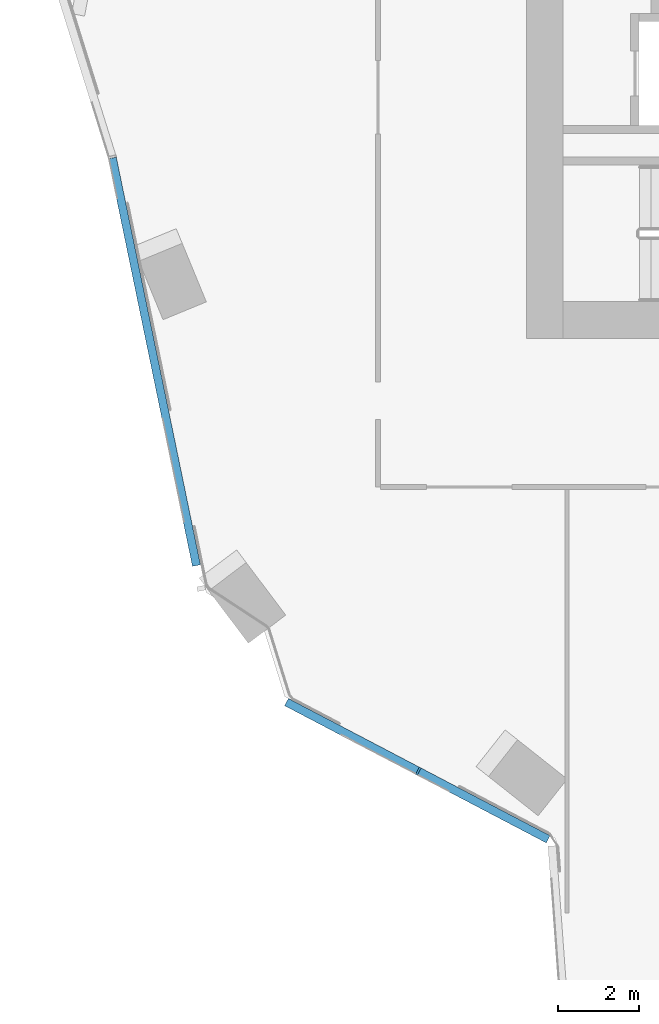
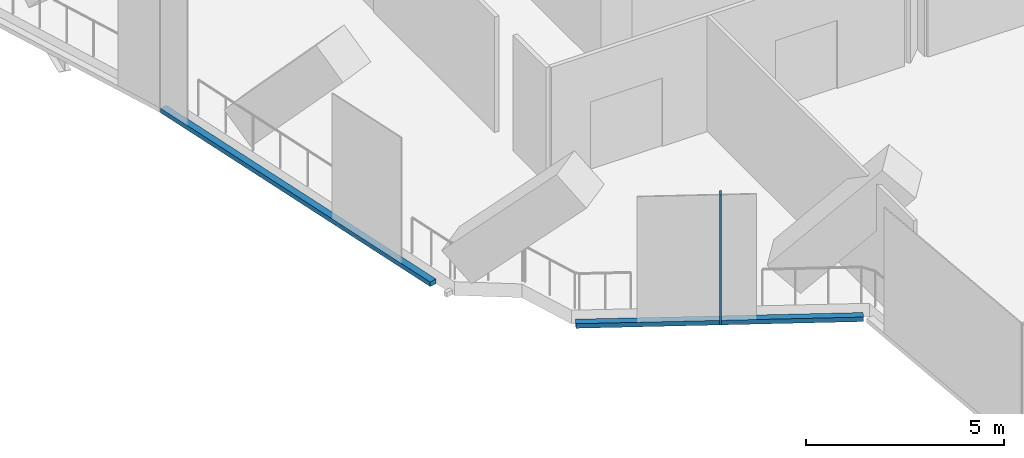
# One storey, part 3 of 26: 3 members, 2 elements without a shape of their own.
"""IFC4 building model written with IfcOpenShell, lengths in metres."""

from ifc_helpers import new_model, si_unit, direction, frame, origin, origin_2d, place, context, subcontext, project, spatial, rectangle, extrude, material, material_profile, profile_set, type_object, element, aggregate, save


model = new_model("IFC4")

# Units and contexts
model_context = context("Model", 3, precision=1e-05, world=origin(), true_north=direction((0.0, 1.0)))
body_context = subcontext(model_context, "Body", "Model", "MODEL_VIEW")
ifc_project = project(units=[si_unit("LENGTHUNIT", "METRE"), si_unit("AREAUNIT", "SQUARE_METRE"), si_unit("VOLUMEUNIT", "CUBIC_METRE"), si_unit("PLANEANGLEUNIT", "RADIAN"), si_unit("MASSUNIT", "GRAM", prefix="KILO")], contexts=[model_context])

# Site, building, storey
site_placement = place(None, origin())
site = spatial("IfcSite", under=ifc_project, at=site_placement, CompositionType="ELEMENT")
building_placement = place(site_placement, origin())
building = spatial("IfcBuilding", under=site, at=building_placement, Name="Orlundy Tower", CompositionType="ELEMENT")
storey_placement = place(building_placement, frame((0.0, 0.0, 249.5)))
storey = spatial("IfcBuildingStorey", under=building, at=storey_placement, Name="L66", CompositionType="ELEMENT", Elevation=249.5)

# Curtain wall, member
ifc_material_1 = material(Name="Aluminium bronze anodised", Category="aluminium")
curtain_wall_type = type_object("IfcCurtainWallType", Name="CW5 wall", PredefinedType="NOTDEFINED", material=ifc_material_1)
curtain_wall_1_placement = place(storey_placement, origin())
curtain_wall_1 = element("IfcCurtainWall", 1, at=curtain_wall_1_placement, inside=storey, type_object=curtain_wall_type, Name="CW5 run 045", PredefinedType="NOTDEFINED")
ifc_material_2 = material(Name="Aluminium bronze anodised", Category="aluminium")
ifc_material_profile_1 = material_profile(ifc_material_2, rectangle(XDim=0.199951171875, YDim=0.050048828125, at=origin_2d()), Name="CW5 mullion 50x200")
ifc_profile_set_1 = profile_set([ifc_material_profile_1], Name="Aluminium bronze anodised")
member_type_1 = type_object("IfcMemberType", Name="CW5 mullion 50x200", PredefinedType="MULLION", material=ifc_profile_set_1)
member_1_placement = place(storey_placement, frame((-21.656005859375, -22.632080078125, -0.419921875), z_axis=(0.0, 0.0, 1.0), x_axis=(-0.464335365493, -0.88565945394, 0.0)))
member_1 = element("IfcMember", 2, at=member_1_placement, type_object=member_type_1, Name="CW5 mullion 62", PredefinedType="MULLION", context=body_context, shape_type="SweptSolid", body=[
    extrude(rectangle(XDim=0.199951171875, YDim=0.050048828125, at=origin_2d()), origin(), (0.0, 0.0, 1.0), 4.0),
])

curtain_wall_2_placement = place(storey_placement, origin())
curtain_wall_2 = element("IfcCurtainWall", 3, at=curtain_wall_2_placement, inside=storey, type_object=curtain_wall_type, Name="CW5 run 02", PredefinedType="NOTDEFINED")
ifc_material_3 = material(Name="Aluminium bronze anodised", Category="aluminium")
ifc_material_profile_2 = material_profile(ifc_material_3, rectangle(XDim=0.199951171875, YDim=0.139892578125, at=origin_2d()), Name="CW5 transom 200x140")
ifc_profile_set_2 = profile_set([ifc_material_profile_2], Name="Aluminium bronze anodised")
member_type_2 = type_object("IfcMemberType", Name="CW5 transom 200x140", PredefinedType="USERDEFINED", material=ifc_profile_set_2)
member_2_placement = place(storey_placement, frame((-27.1044921875, -17.580810546875, -0.35009765625), z_axis=(-0.202185358254, 0.979347272885, 0.0), x_axis=(-0.979347272885, -0.202185358254, 0.0)))
member_2 = element("IfcMember", 4, at=member_2_placement, type_object=member_type_2, Name="CW5 transom", ObjectType="TRANSOM", PredefinedType="USERDEFINED", context=body_context, shape_type="SweptSolid", body=[
    extrude(rectangle(XDim=0.199951171875, YDim=0.139892578125, at=origin_2d()), origin(), (0.0, 0.0, 1.0), 10.220458984375),
])
aggregate(curtain_wall_2, [member_2])

# Member
member_3_placement = place(storey_placement, frame((-18.46826171875, -24.30322265625, -0.35009765625), z_axis=(-0.885666131872, 0.464322627981, 0.0), x_axis=(-0.464322627981, -0.885666131872, 0.0)))
member_3 = element("IfcMember", 5, at=member_3_placement, type_object=member_type_2, Name="CW5 transom", ObjectType="TRANSOM", PredefinedType="USERDEFINED", context=body_context, shape_type="SweptSolid", body=[
    extrude(rectangle(XDim=0.199951171875, YDim=0.139892578125, at=origin_2d()), origin(), (0.0, 0.0, 1.0), 7.25390625),
])

aggregate(curtain_wall_1, [member_1, member_3])

save(model, "model.ifc")
